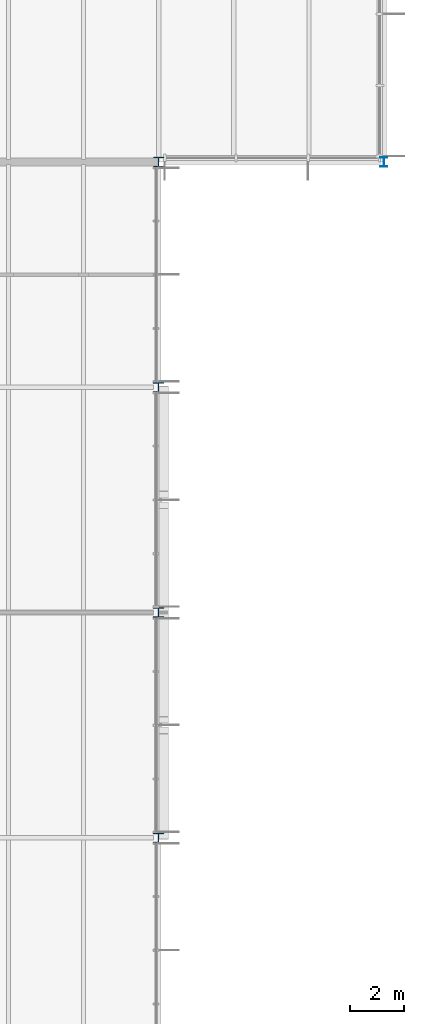
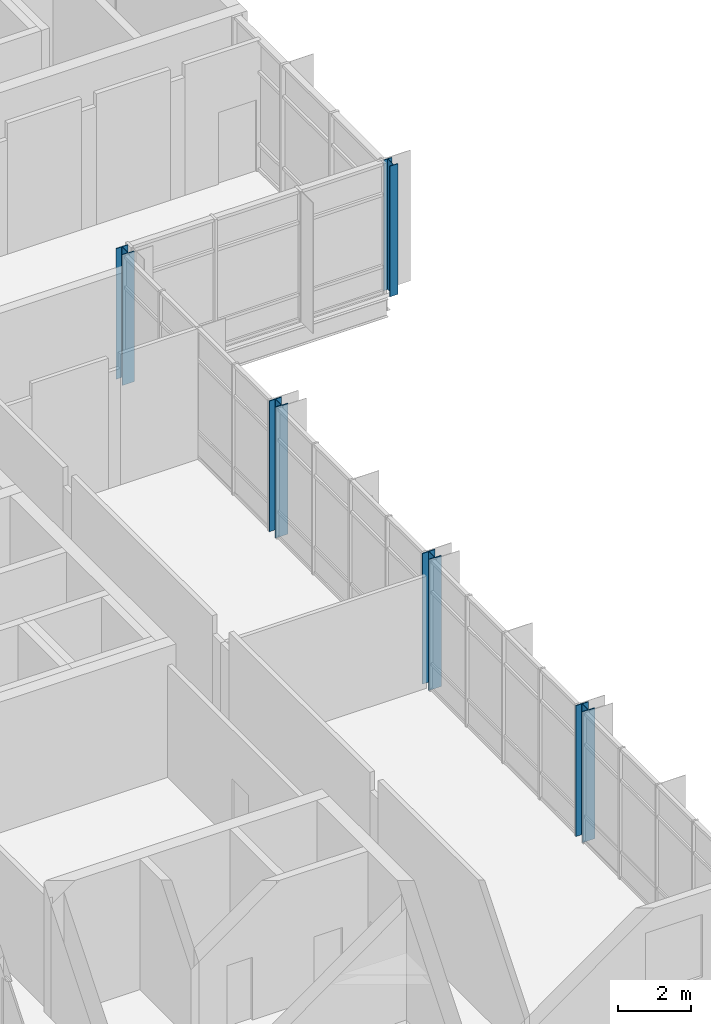
# One storey, part 5 of 76: 5 columns.
"""IFC4 building model written with IfcOpenShell, lengths in metres."""

from ifc_helpers import new_model, si_unit, direction, frame, origin, origin_2d, place, context, subcontext, project, spatial, i_section, extrude, material, material_profile, profile_set, type_object, element, save


model = new_model("IFC4")

# Units and contexts
model_context = context("Model", 3, precision=1e-05, world=origin(), true_north=direction((0.0, 1.0)))
body_context = subcontext(model_context, "Body", "Model", "MODEL_VIEW")
ifc_project = project(units=[si_unit("LENGTHUNIT", "METRE"), si_unit("AREAUNIT", "SQUARE_METRE"), si_unit("VOLUMEUNIT", "CUBIC_METRE"), si_unit("PLANEANGLEUNIT", "RADIAN"), si_unit("MASSUNIT", "GRAM", prefix="KILO")], contexts=[model_context])

# Site, building, storey
site_placement = place(None, origin())
site = spatial("IfcSite", under=ifc_project, at=site_placement, CompositionType="ELEMENT")
building_placement = place(site_placement, origin())
building = spatial("IfcBuilding", under=site, at=building_placement, Name="Hlaing Beacon Police Headquarters", CompositionType="ELEMENT")
storey_placement = place(building_placement, frame((0.0, 0.0, 18.89990234375)))
storey = spatial("IfcBuildingStorey", under=building, at=storey_placement, Name="L04", CompositionType="ELEMENT", Elevation=18.89990234375)

# Columns
ifc_material_1 = material(Name="Steel ASTM A992 Grade 50", Category="steel")
ifc_material_profile_1 = material_profile(ifc_material_1, i_section(OverallWidth=0.373291015625, OverallDepth=0.368408203125, WebThickness=0.014892578125, FlangeThickness=0.02392578125, FilletRadius=0.01513671875, at=origin_2d()), Name="W14x120")
ifc_profile_set_1 = profile_set([ifc_material_profile_1], Name="Steel ASTM A992 Grade 50")
column_type_1 = type_object("IfcColumnType", Name="Steel column W14x120", PredefinedType="COLUMN", material=ifc_profile_set_1)
column_1_placement = place(storey_placement, frame((126.0, 67.199951171875, 0.0), z_axis=(0.0, 0.0, 1.0), x_axis=(1.0, 0.0, 0.0)))
element("IfcColumn", 1, at=column_1_placement, inside=storey, type_object=column_type_1, Name="STR-COL-L04-R9", PredefinedType="COLUMN", context=body_context, shape_type="SweptSolid", body=[
    extrude(i_section(OverallWidth=0.373291015625, OverallDepth=0.368408203125, WebThickness=0.014892578125, FlangeThickness=0.02392578125, FilletRadius=0.01513671875, at=origin_2d()), origin(), (0.0, 0.0, 1.0), 4.3701171875),
])
ifc_material_2 = material(Name="Steel ASTM A992 Grade 50", Category="steel")
ifc_material_profile_2 = material_profile(ifc_material_2, i_section(OverallWidth=0.393798828125, OverallDepth=0.3759765625, WebThickness=0.017333984375, FlangeThickness=0.027587890625, FilletRadius=0.01513671875, at=origin_2d()), Name="W14x145")
ifc_profile_set_2 = profile_set([ifc_material_profile_2], Name="Steel ASTM A992 Grade 50")
column_type_2 = type_object("IfcColumnType", Name="Steel column W14x145", PredefinedType="COLUMN", material=ifc_profile_set_2)
for number, where, z_axis, x_axis, name in (
    (2, (126.0, 42.0, 0.0), (0.0, 0.0, 1.0), (1.0, 0.0, 0.0), "STR-COL-L04-R6"),
    (3, (126.0, 50.39990234375, 0.0), (0.0, 0.0, 1.0), (1.0, 0.0, 0.0), "STR-COL-L04-R7"),
    (4, (126.0, 58.800048828125, 0.0), (0.0, 0.0, 1.0), (1.0, 0.0, 0.0), "STR-COL-L04-R8"),
):
    element("IfcColumn", number, at=place(storey_placement, frame(where, z_axis=z_axis, x_axis=x_axis)), inside=storey, type_object=column_type_2, Name=name, PredefinedType="COLUMN", context=body_context, shape_type="SweptSolid", body=[
        extrude(i_section(OverallWidth=0.393798828125, OverallDepth=0.3759765625, WebThickness=0.017333984375, FlangeThickness=0.027587890625, FilletRadius=0.01513671875, at=origin_2d()), origin(), (0.0, 0.0, 1.0), 4.3701171875),
    ])
ifc_material_3 = material(Name="Steel ASTM A992 Grade 50", Category="steel")
ifc_material_profile_3 = material_profile(ifc_material_3, i_section(OverallWidth=0.25390625, OverallDepth=0.35302734375, WebThickness=0.009521484375, FlangeThickness=0.016357421875, FilletRadius=0.01513671875, at=origin_2d()), Name="W14x61")
ifc_profile_set_3 = profile_set([ifc_material_profile_3], Name="Steel ASTM A992 Grade 50")
column_type_3 = type_object("IfcColumnType", Name="Steel column W14x61", PredefinedType="COLUMN", material=ifc_profile_set_3)
column_2_placement = place(storey_placement, frame((134.39990234375, 67.199951171875, 0.0), z_axis=(0.0, 0.0, 1.0), x_axis=(1.0, 0.0, 0.0)))
element("IfcColumn", 5, at=column_2_placement, inside=storey, type_object=column_type_3, Name="STR-COL-L04-S9", PredefinedType="COLUMN", context=body_context, shape_type="SweptSolid", body=[
    extrude(i_section(OverallWidth=0.25390625, OverallDepth=0.35302734375, WebThickness=0.009521484375, FlangeThickness=0.016357421875, FilletRadius=0.01513671875, at=origin_2d()), origin(), (0.0, 0.0, 1.0), 4.3701171875),
])

save(model, "model.ifc")
